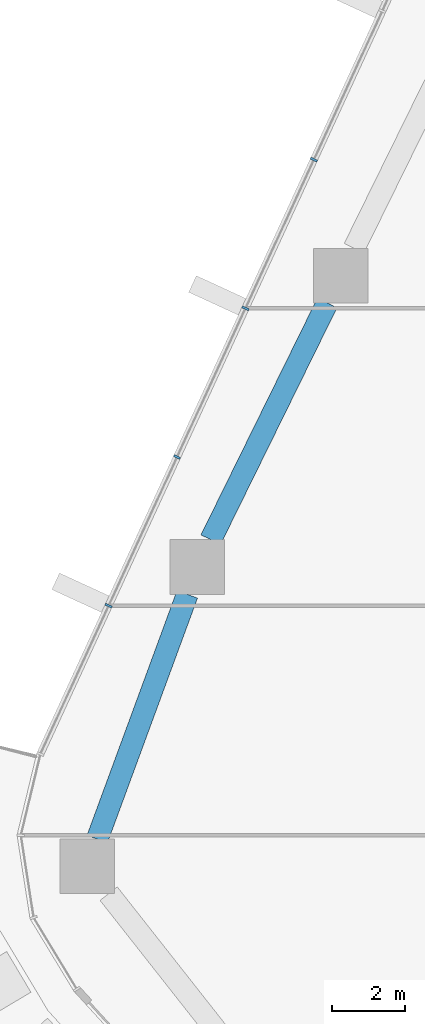
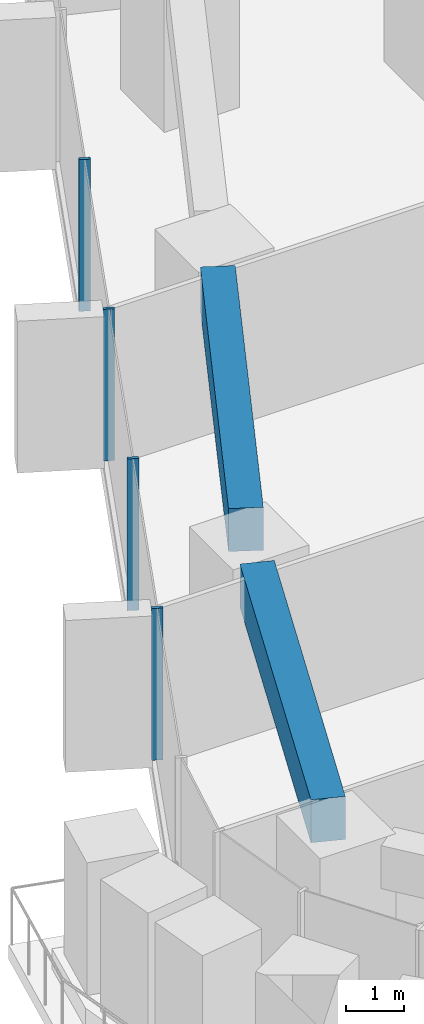
# One storey, part 5 of 26: 4 members, 2 beams, 1 element without a shape of its own.
"""IFC4 building model written with IfcOpenShell, lengths in metres."""

from ifc_helpers import new_model, si_unit, direction, frame, origin, origin_2d, place, context, subcontext, project, spatial, rectangle, extrude, material, layer, layer_set, material_profile, profile_set, type_object, element, aggregate, save


model = new_model("IFC4")

# Units and contexts
model_context = context("Model", 3, precision=1e-05, world=origin(), true_north=direction((0.0, 1.0)))
body_context = subcontext(model_context, "Body", "Model", "MODEL_VIEW")
ifc_project = project(units=[si_unit("LENGTHUNIT", "METRE"), si_unit("AREAUNIT", "SQUARE_METRE"), si_unit("VOLUMEUNIT", "CUBIC_METRE"), si_unit("PLANEANGLEUNIT", "RADIAN"), si_unit("MASSUNIT", "GRAM", prefix="KILO")], contexts=[model_context])

# Site, building, storey
site_placement = place(None, origin())
site = spatial("IfcSite", under=ifc_project, at=site_placement, CompositionType="ELEMENT")
building_placement = place(site_placement, origin())
building = spatial("IfcBuilding", under=site, at=building_placement, Name="Dongbaek Canopy Tower", CompositionType="ELEMENT")
storey_placement = place(building_placement, frame((0.0, 0.0, 69.89990234375)))
storey = spatial("IfcBuildingStorey", under=building, at=storey_placement, Name="L13", CompositionType="ELEMENT", Elevation=69.89990234375)

# Curtain wall, members
ifc_material_1 = material(Name="Aluminium 6063-T6 pale anodised", Category="aluminium")
ifc_layer = layer(ifc_material_1, 0.199951171875)
ifc_layer_set = layer_set([ifc_layer], Name="CW-1 unitised tower curtain wall")
curtain_wall_type = type_object("IfcCurtainWallType", Name="CW-1 unitised tower curtain wall", PredefinedType="NOTDEFINED", material=ifc_layer_set)
curtain_wall_placement = place(storey_placement, origin())
curtain_wall = element("IfcCurtainWall", 1, at=curtain_wall_placement, inside=storey, type_object=curtain_wall_type, Name="CW-1 curtain wall F2.1", PredefinedType="NOTDEFINED")
ifc_material_2 = material(Name="Aluminium 6063-T6 pale anodised", Category="aluminium")
ifc_material_profile_1 = material_profile(ifc_material_2, rectangle(XDim=0.199951171875, YDim=0.06005859375, at=origin_2d()), Name="CW-1 mullion 60 x 200")
ifc_profile_set_1 = profile_set([ifc_material_profile_1], Name="Aluminium 6063-T6 pale anodised")
member_type = type_object("IfcMemberType", Name="CW-1 mullion 60 x 200", PredefinedType="MULLION", material=ifc_profile_set_1)
member_1_placement = place(storey_placement, frame((-31.261962890625, 11.29541015625, 0.1201171875), z_axis=(0.0, 0.0, 1.0), x_axis=(-0.908435687115, 0.418024643264, 0.0)))
member_1 = element("IfcMember", 2, at=member_1_placement, type_object=member_type, Name="CW-1 mullion F2.1.6", PredefinedType="MULLION", context=body_context, shape_type="SweptSolid", body=[
    extrude(rectangle(XDim=0.199951171875, YDim=0.06005859375, at=origin_2d()), origin(), (0.0, 0.0, 1.0), 3.179931640625),
])
member_2_placement = place(storey_placement, frame((-33.1416015625, 7.21044921875, 0.1201171875), z_axis=(0.0, 0.0, 1.0), x_axis=(-0.908435687115, 0.418024643264, 0.0)))
member_2 = element("IfcMember", 3, at=member_2_placement, type_object=member_type, Name="CW-1 mullion F2.1.7", PredefinedType="MULLION", context=body_context, shape_type="SweptSolid", body=[
    extrude(rectangle(XDim=0.199951171875, YDim=0.06005859375, at=origin_2d()), origin(), (0.0, 0.0, 1.0), 3.179931640625),
])
member_3_placement = place(storey_placement, frame((-35.021484375, 3.125732421875, 0.1201171875), z_axis=(0.0, 0.0, 1.0), x_axis=(-0.908435687115, 0.418024643264, 0.0)))
member_3 = element("IfcMember", 4, at=member_3_placement, type_object=member_type, Name="CW-1 mullion F2.1.8", PredefinedType="MULLION", context=body_context, shape_type="SweptSolid", body=[
    extrude(rectangle(XDim=0.199951171875, YDim=0.06005859375, at=origin_2d()), origin(), (0.0, 0.0, 1.0), 3.179931640625),
])
member_4_placement = place(storey_placement, frame((-36.901123046875, -0.959228515625, 0.1201171875), z_axis=(0.0, 0.0, 1.0), x_axis=(-0.908435687115, 0.418024643264, 0.0)))
member_4 = element("IfcMember", 5, at=member_4_placement, type_object=member_type, Name="CW-1 mullion F2.1.9", PredefinedType="MULLION", context=body_context, shape_type="SweptSolid", body=[
    extrude(rectangle(XDim=0.199951171875, YDim=0.06005859375, at=origin_2d()), origin(), (0.0, 0.0, 1.0), 3.179931640625),
])
aggregate(curtain_wall, [member_1, member_2, member_3, member_4])

# Beams
ifc_material_3 = material(Name="Concrete C80", Category="concrete")
ifc_material_profile_2 = material_profile(ifc_material_3, rectangle(XDim=0.60009765625, YDim=0.89990234375, at=origin_2d()), Name="RC EDGE BEAM 600x900 C80")
ifc_profile_set_2 = profile_set([ifc_material_profile_2], Name="Concrete C80")
beam_type = type_object("IfcBeamType", Name="RC EDGE BEAM 600x900 C80", PredefinedType="BEAM", material=ifc_profile_set_2)
beam_1_placement = place(storey_placement, frame((-37.213134765625, -7.373046875, 2.85009765625), z_axis=(0.345225397682, 0.938519805223, 0.0), x_axis=(-0.938519805223, 0.345225397682, 0.0)))
element("IfcBeam", 6, at=beam_1_placement, inside=storey, type_object=beam_type, Name="EDGEBEAM:L13:08", PredefinedType="BEAM", context=body_context, shape_type="SweptSolid", body=[
    extrude(rectangle(XDim=0.60009765625, YDim=0.89990234375, at=origin_2d()), origin(), (0.0, 0.0, 1.0), 7.166748046875),
])
beam_2_placement = place(storey_placement, frame((-34.09423828125, 0.85302734375, 2.85009765625), z_axis=(0.441292548313, 0.897363297, 0.0), x_axis=(-0.897363297, 0.441292548313, 0.0)))
element("IfcBeam", 7, at=beam_2_placement, inside=storey, type_object=beam_type, Name="EDGEBEAM:L13:09", PredefinedType="BEAM", context=body_context, shape_type="SweptSolid", body=[
    extrude(rectangle(XDim=0.60009765625, YDim=0.89990234375, at=origin_2d()), origin(), (0.0, 0.0, 1.0), 7.25244140625),
])

save(model, "model.ifc")
